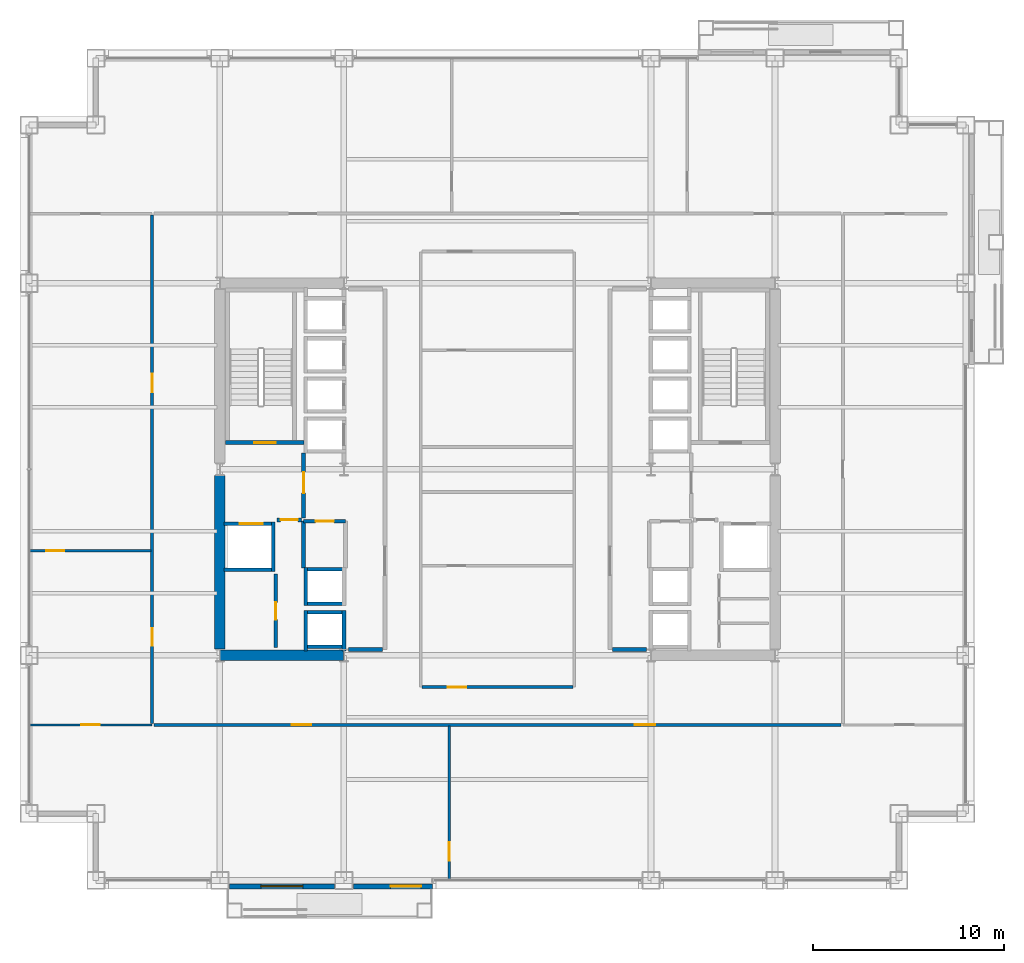
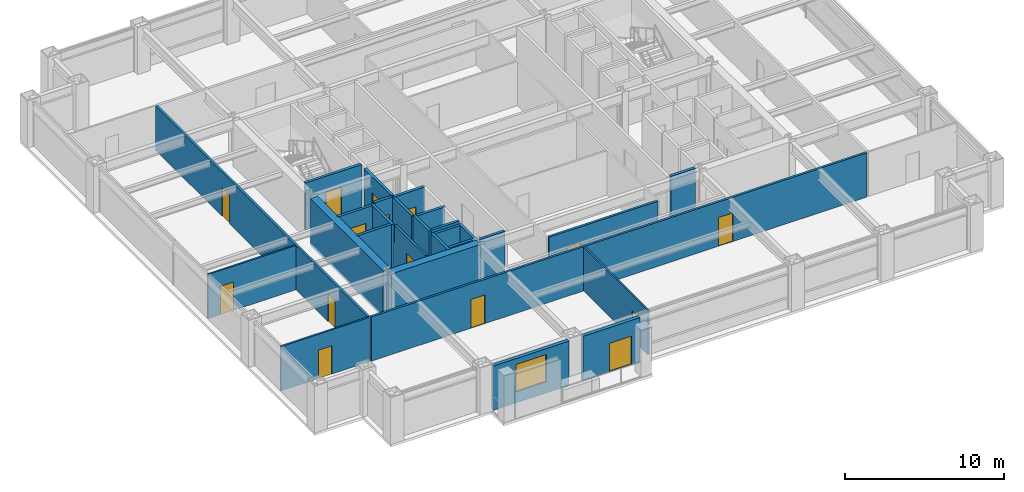
# One storey, part 25 of 31: 28 walls, 15 doors, 1 window, 16 openings.
"""IFC4 building model written with IfcOpenShell, lengths in metres."""

from ifc_helpers import new_model, si_unit, direction, frame, frame_2d, origin, place, context, subcontext, project, spatial, rectangle, extrude, material, layer, layer_set, type_object, element, fill, save


model = new_model("IFC4")

# Units and contexts
model_context = context("Model", 3, precision=1e-05, world=origin(), true_north=direction((0.0, 1.0)))
body_context = subcontext(model_context, "Body", "Model", "MODEL_VIEW")
ifc_project = project(units=[si_unit("LENGTHUNIT", "METRE"), si_unit("AREAUNIT", "SQUARE_METRE"), si_unit("VOLUMEUNIT", "CUBIC_METRE"), si_unit("PLANEANGLEUNIT", "RADIAN"), si_unit("MASSUNIT", "GRAM", prefix="KILO")], contexts=[model_context])

# Site, building, storey
site_placement = place(None, origin())
site = spatial("IfcSite", under=ifc_project, at=site_placement, CompositionType="ELEMENT")
building_placement = place(site_placement, origin())
building = spatial("IfcBuilding", under=site, at=building_placement, Name="Brelmoor Portico Tower", CompositionType="ELEMENT")
storey_placement = place(building_placement, frame((0.0, 0.0, 38.39990234375)))
storey = spatial("IfcBuildingStorey", under=building, at=storey_placement, Name="L09", CompositionType="ELEMENT", Elevation=38.39990234375)

# Walls
ifc_material_1 = material(Name="Concrete C60", Category="concrete")
ifc_layer_1 = layer(ifc_material_1, 0.550048828125)
ifc_layer_set_1 = layer_set([ifc_layer_1], Name="Concrete C60")
wall_type_1 = type_object("IfcWallType", Name="WL-CORE-550", PredefinedType="SHEAR", material=ifc_layer_set_1)
wall_1_placement = place(storey_placement, frame((-14.530029296875, -9.75, -0.199951171875), z_axis=(0.0, 0.0, 1.0), x_axis=(1.0, 0.0, 0.0)))
element("IfcWall", 1, at=wall_1_placement, inside=storey, type_object=wall_type_1, Name="L09 WC South Shear Wall", PredefinedType="SHEAR", context=body_context, shape_type="SweptSolid", body=[
    extrude(rectangle(XDim=6.4599609375, YDim=0.550048828125, at=frame_2d((3.22998046875, 0.0))), origin(), (0.0, 0.0, 1.0), 3.60009765625),
])
wall_2_placement = place(storey_placement, frame((-14.550048828125, -9.425048828125, -0.199951171875), z_axis=(0.0, 0.0, 1.0), x_axis=(0.0, 1.0, 0.0)))
element("IfcWall", 2, at=wall_2_placement, inside=storey, type_object=wall_type_1, Name="L09 WC Outer South Shear Wall", PredefinedType="SHEAR", context=body_context, shape_type="SweptSolid", body=[
    extrude(rectangle(XDim=9.10009765625, YDim=0.550048828125, at=frame_2d((4.550048828125, 0.0))), origin(), (0.0, 0.0, 1.0), 3.60009765625),
])

# Wall, opening, window
ifc_material_2 = material(Name="Precast Concrete C40 Insulated Facade Wall", Category="concrete")
ifc_layer_2 = layer(ifc_material_2, 0.25)
ifc_layer_set_2 = layer_set([ifc_layer_2], Name="Precast Concrete C40 Insulated Facade Wall")
wall_type_2 = type_object("IfcWallType", Name="WL-EXT-250", PredefinedType="STANDARD", material=ifc_layer_set_2)
wall_3_placement = place(storey_placement, frame((-14.054931640625, -21.860107421875, 0.0), z_axis=(0.0, 0.0, 1.0), x_axis=(1.0, 0.0, 0.0)))
wall_3 = element("IfcWall", 3, at=wall_3_placement, inside=storey, type_object=wall_type_2, Name="L09 Loggia Threshold Wall S-1", PredefinedType="STANDARD", context=body_context, shape_type="SweptSolid", body=[
    extrude(rectangle(XDim=5.510009765625, YDim=0.25, at=frame_2d((2.7548828125, 0.0))), origin(), (0.0, 0.0, 1.0), 3.400146484375),
])
opening_1_placement = place(wall_3_placement, frame((1.655029296875, 0.0, 0.85009765625)))
opening_1 = element("IfcOpeningElement", 4, at=opening_1_placement, cuts=wall_3, Name="Opening W-03B", PredefinedType="OPENING", context=body_context, shape_type="SweptSolid", body=[
    extrude(rectangle(XDim=2.199951171875, YDim=2.10009765625, at=frame_2d((1.10009765625, 1.050048828125))), frame((0.0, 0.135009765625, 0.0), z_axis=(0.0, -1.0, 0.0), x_axis=(1.0, 0.0, 0.0)), (0.0, 0.0, 1.0), 0.27001953125),
])
ifc_material_3 = material(Name="Thermally Broken Aluminium Low-E Window", Category="aluminium")
window_type = type_object("IfcWindowType", Name="WN-LOGGIA-2200x2100", PartitioningType="SINGLE_PANEL", PredefinedType="WINDOW", material=ifc_material_3)
window_placement = place(opening_1_placement, origin())
window = element("IfcWindow", 5, at=window_placement, inside=storey, type_object=window_type, Name="L09 Loggia Window S", OverallHeight=2.10009765625, OverallWidth=2.199951171875, PartitioningType="SINGLE_PANEL", PredefinedType="WINDOW", context=body_context, shape_type="SweptSolid", body=[
    extrude(rectangle(XDim=2.199951171875, YDim=2.10009765625, at=frame_2d((1.10009765625, 1.050048828125))), frame((0.0, 0.030029296875, 0.0), z_axis=(0.0, -1.0, 0.0), x_axis=(1.0, 0.0, 0.0)), (0.0, 0.0, 1.0), 0.06005859375),
])
fill(opening_1, window)

# Wall, opening, door
wall_4_placement = place(storey_placement, frame((-7.554931640625, -21.860107421875, 0.0), z_axis=(0.0, 0.0, 1.0), x_axis=(1.0, 0.0, 0.0)))
wall_4 = element("IfcWall", 6, at=wall_4_placement, inside=storey, type_object=wall_type_2, Name="L09 Loggia Threshold Wall S-2", PredefinedType="STANDARD", context=body_context, shape_type="SweptSolid", body=[
    extrude(rectangle(XDim=4.155029296875, YDim=0.25, at=frame_2d((2.07763671875, 0.0))), origin(), (0.0, 0.0, 1.0), 3.400146484375),
])
opening_2_placement = place(wall_4_placement, frame((1.955078125, 0.0, 0.0)))
opening_2 = element("IfcOpeningElement", 7, at=opening_2_placement, cuts=wall_4, Name="Opening D-TB1", PredefinedType="OPENING", context=body_context, shape_type="SweptSolid", body=[
    extrude(rectangle(XDim=1.60009765625, YDim=2.199951171875, at=frame_2d((0.800048828125, 1.10009765625))), frame((0.0, 0.135009765625, 0.0), z_axis=(0.0, -1.0, 0.0), x_axis=(1.0, 0.0, 0.0)), (0.0, 0.0, 1.0), 0.27001953125),
])
ifc_material_4 = material(Name="Double-Leaf Thermally Broken Terrace Door", Category="aluminium")
door_type_1 = type_object("IfcDoorType", Name="DR-BALCONY-1600", OperationType="NOTDEFINED", PredefinedType="DOOR", material=ifc_material_4)
door_1_placement = place(opening_2_placement, origin())
door_1 = element("IfcDoor", 8, at=door_1_placement, inside=storey, type_object=door_type_1, Name="D-0423 L09 Tree Balcony Double Door S", OperationType="DOUBLE_DOOR_SINGLE_SWING", OverallHeight=2.199951171875, OverallWidth=1.60009765625, PredefinedType="DOOR", context=body_context, shape_type="SweptSolid", body=[
    extrude(rectangle(XDim=1.60009765625, YDim=2.199951171875, at=frame_2d((0.800048828125, 1.10009765625))), frame((0.0, 0.02490234375, 0.0), z_axis=(0.0, -1.0, 0.0), x_axis=(1.0, 0.0, 0.0)), (0.0, 0.0, 1.0), 0.050048828125),
])
fill(opening_2, door_1)

ifc_material_5 = material(Name="Lightweight Gypsum Office Partition", Category="gypsum")
ifc_layer_3 = layer(ifc_material_5, 0.1201171875)
ifc_layer_set_3 = layer_set([ifc_layer_3], Name="Lightweight Gypsum Office Partition")
wall_type_3 = type_object("IfcWallType", Name="WL-PART-120", PredefinedType="PARTITIONING", material=ifc_layer_set_3)
wall_5_placement = place(storey_placement, frame((-2.530029296875, -21.56005859375, 0.0), z_axis=(0.0, 0.0, 1.0), x_axis=(0.0, 1.0, 0.0)))
wall_5 = element("IfcWall", 9, at=wall_5_placement, inside=storey, type_object=wall_type_3, Name="L09 South Suite Partition 1", PredefinedType="PARTITIONING", context=body_context, shape_type="SweptSolid", body=[
    extrude(rectangle(XDim=8.10009765625, YDim=0.1201171875, at=frame_2d((4.050048828125, 0.0))), origin(), (0.0, 0.0, 1.0), 3.400146484375),
])
opening_3_placement = place(wall_5_placement, frame((1.050048828125, 0.0, 0.0)))
opening_3 = element("IfcOpeningElement", 10, at=opening_3_placement, cuts=wall_5, Name="Opening D-IN2", PredefinedType="OPENING", context=body_context, shape_type="SweptSolid", body=[
    extrude(rectangle(XDim=0.9599609375, YDim=2.179931640625, at=frame_2d((0.47998046875, 1.08984375))), frame((0.0, 0.070068359375, 0.0), z_axis=(0.0, -1.0, 0.0), x_axis=(1.0, 0.0, 0.0)), (0.0, 0.0, 1.0), 0.14013671875),
])
ifc_material_6 = material(Name="Lacquered Timber Suite Door", Category="wood")
door_type_2 = type_object("IfcDoorType", Name="DR-INT-950", OperationType="NOTDEFINED", PredefinedType="DOOR", material=ifc_material_6)
door_2_placement = place(opening_3_placement, origin())
door_2 = element("IfcDoor", 11, at=door_2_placement, inside=storey, type_object=door_type_2, Name="D-0416 L09 South Suite Connecting Door 1", OperationType="SINGLE_SWING_RIGHT", OverallHeight=2.179931640625, OverallWidth=0.9599609375, PredefinedType="DOOR", context=body_context, shape_type="SweptSolid", body=[
    extrude(rectangle(XDim=0.9599609375, YDim=2.179931640625, at=frame_2d((0.47998046875, 1.08984375))), frame((0.0, 0.02490234375, 0.0), z_axis=(0.0, -1.0, 0.0), x_axis=(1.0, 0.0, 0.0)), (0.0, 0.0, 1.0), 0.050048828125),
])
fill(opening_3, door_2)

wall_6_placement = place(storey_placement, frame((-24.56005859375, -13.39990234375, 0.0), z_axis=(0.0, 0.0, 1.0), x_axis=(1.0, 0.0, 0.0)))
wall_6 = element("IfcWall", 12, at=wall_6_placement, inside=storey, type_object=wall_type_3, Name="L09 South Outer Closure WL", PredefinedType="PARTITIONING", context=body_context, shape_type="SweptSolid", body=[
    extrude(rectangle(XDim=6.4599609375, YDim=0.1201171875, at=frame_2d((3.22998046875, 0.0))), origin(), (0.0, 0.0, 1.0), 3.400146484375),
])
opening_4_placement = place(wall_6_placement, frame((2.75, 0.0, 0.0)))
opening_4 = element("IfcOpeningElement", 13, at=opening_4_placement, cuts=wall_6, Name="Opening D-IN2", PredefinedType="OPENING", context=body_context, shape_type="SweptSolid", body=[
    extrude(rectangle(XDim=0.9599609375, YDim=2.179931640625, at=frame_2d((0.47998046875, 1.08984375))), frame((0.0, 0.070068359375, 0.0), z_axis=(0.0, -1.0, 0.0), x_axis=(1.0, 0.0, 0.0)), (0.0, 0.0, 1.0), 0.14013671875),
])
door_3_placement = place(opening_4_placement, origin())
door_3 = element("IfcDoor", 14, at=door_3_placement, inside=storey, type_object=door_type_2, Name="D-0420 L09 WL South Corner Suite Door", OperationType="SINGLE_SWING_LEFT", OverallHeight=2.179931640625, OverallWidth=0.9599609375, PredefinedType="DOOR", context=body_context, shape_type="SweptSolid", body=[
    extrude(rectangle(XDim=0.9599609375, YDim=2.179931640625, at=frame_2d((0.47998046875, 1.08984375))), frame((0.0, 0.02490234375, 0.0), z_axis=(0.0, -1.0, 0.0), x_axis=(1.0, 0.0, 0.0)), (0.0, 0.0, 1.0), 0.050048828125),
])
fill(opening_4, door_3)

wall_7_placement = place(storey_placement, frame((-24.56005859375, -4.262451171875, 0.0), z_axis=(0.0, 0.0, 1.0), x_axis=(1.0, 0.0, 0.0)))
wall_7 = element("IfcWall", 15, at=wall_7_placement, inside=storey, type_object=wall_type_3, Name="L09 W Wing Partition 1", PredefinedType="PARTITIONING", context=body_context, shape_type="SweptSolid", body=[
    extrude(rectangle(XDim=6.400146484375, YDim=0.1201171875, at=frame_2d((3.2001953125, 0.0))), origin(), (0.0, 0.0, 1.0), 3.400146484375),
])
opening_5_placement = place(wall_7_placement, frame((0.89990234375, 0.0, 0.0)))
opening_5 = element("IfcOpeningElement", 16, at=opening_5_placement, cuts=wall_7, Name="Opening D-IN2", PredefinedType="OPENING", context=body_context, shape_type="SweptSolid", body=[
    extrude(rectangle(XDim=0.9599609375, YDim=2.179931640625, at=frame_2d((0.47998046875, 1.08984375))), frame((0.0, 0.070068359375, 0.0), z_axis=(0.0, -1.0, 0.0), x_axis=(1.0, 0.0, 0.0)), (0.0, 0.0, 1.0), 0.14013671875),
])
door_4_placement = place(opening_5_placement, origin())
door_4 = element("IfcDoor", 17, at=door_4_placement, inside=storey, type_object=door_type_2, Name="D-0427 L09 W Wing Suite Connecting Door 1", OperationType="SINGLE_SWING_LEFT", OverallHeight=2.179931640625, OverallWidth=0.9599609375, PredefinedType="DOOR", context=body_context, shape_type="SweptSolid", body=[
    extrude(rectangle(XDim=0.9599609375, YDim=2.179931640625, at=frame_2d((0.47998046875, 1.08984375))), frame((0.0, 0.02490234375, 0.0), z_axis=(0.0, -1.0, 0.0), x_axis=(1.0, 0.0, 0.0)), (0.0, 0.0, 1.0), 0.050048828125),
])
fill(opening_5, door_4)

ifc_material_7 = material(Name="Twin-Frame Acoustic Partition", Category="gypsum")
ifc_layer_4 = layer(ifc_material_7, 0.159912109375)
ifc_layer_set_4 = layer_set([ifc_layer_4], Name="Twin-Frame Acoustic Partition")
wall_type_4 = type_object("IfcWallType", Name="WL-PART-160", PredefinedType="PARTITIONING", material=ifc_layer_set_4)
wall_8_placement = place(storey_placement, frame((-11.6201171875, -9.35009765625, 0.0), z_axis=(0.0, 0.0, 1.0), x_axis=(0.0, 1.0, 0.0)))
wall_8 = element("IfcWall", 18, at=wall_8_placement, inside=storey, type_object=wall_type_4, Name="L09 W Core Service Front Wall", PredefinedType="PARTITIONING", context=body_context, shape_type="SweptSolid", body=[
    extrude(rectangle(XDim=3.85009765625, YDim=0.159912109375, at=frame_2d((1.925048828125, 0.0))), origin(), (0.0, 0.0, 1.0), 3.400146484375),
])
opening_6_placement = place(wall_8_placement, frame((1.47509765625, 0.0, 0.0)))
opening_6 = element("IfcOpeningElement", 19, at=opening_6_placement, cuts=wall_8, Name="Opening D-IN1", PredefinedType="OPENING", context=body_context, shape_type="SweptSolid", body=[
    extrude(rectangle(XDim=0.89990234375, YDim=2.14990234375, at=frame_2d((0.449951171875, 1.074951171875))), frame((0.0, 0.08984375, 0.0), z_axis=(0.0, -1.0, 0.0), x_axis=(1.0, 0.0, 0.0)), (0.0, 0.0, 1.0), 0.179931640625),
])
door_type_3 = type_object("IfcDoorType", Name="DR-INT-900", OperationType="NOTDEFINED", PredefinedType="DOOR", material=ifc_material_6)
door_5_placement = place(opening_6_placement, origin())
door_5 = element("IfcDoor", 20, at=door_5_placement, inside=storey, type_object=door_type_3, Name="D-0400 L09 W Accessible WC Door", OperationType="SINGLE_SWING_LEFT", OverallHeight=2.14990234375, OverallWidth=0.89990234375, PredefinedType="DOOR", context=body_context, shape_type="SweptSolid", body=[
    extrude(rectangle(XDim=0.89990234375, YDim=2.14990234375, at=frame_2d((0.449951171875, 1.074951171875))), frame((0.0, 0.02490234375, 0.0), z_axis=(0.0, -1.0, 0.0), x_axis=(1.0, 0.0, 0.0)), (0.0, 0.0, 1.0), 0.050048828125),
])
fill(opening_6, door_5)

wall_9_placement = place(storey_placement, frame((-3.949951171875, -11.419921875, 0.0), z_axis=(0.0, 0.0, 1.0), x_axis=(1.0, 0.0, 0.0)))
wall_9 = element("IfcWall", 21, at=wall_9_placement, inside=storey, type_object=wall_type_4, Name="L09 Central Pantry Corridor Wall", PredefinedType="PARTITIONING", context=body_context, shape_type="SweptSolid", body=[
    extrude(rectangle(XDim=7.89990234375, YDim=0.159912109375, at=frame_2d((3.949951171875, 0.0))), origin(), (0.0, 0.0, 1.0), 3.400146484375),
])
opening_7_placement = place(wall_9_placement, frame((1.35009765625, 0.0, 0.0)))
opening_7 = element("IfcOpeningElement", 22, at=opening_7_placement, cuts=wall_9, Name="Opening D-IN2", PredefinedType="OPENING", context=body_context, shape_type="SweptSolid", body=[
    extrude(rectangle(XDim=0.9599609375, YDim=2.179931640625, at=frame_2d((0.47998046875, 1.08984375))), frame((0.0, 0.08984375, 0.0), z_axis=(0.0, -1.0, 0.0), x_axis=(1.0, 0.0, 0.0)), (0.0, 0.0, 1.0), 0.179931640625),
])
door_6_placement = place(opening_7_placement, origin())
door_6 = element("IfcDoor", 23, at=door_6_placement, inside=storey, type_object=door_type_2, Name="D-0393 L09 Staff Pantry Door", OperationType="SINGLE_SWING_LEFT", OverallHeight=2.179931640625, OverallWidth=0.9599609375, PredefinedType="DOOR", context=body_context, shape_type="SweptSolid", body=[
    extrude(rectangle(XDim=0.9599609375, YDim=2.179931640625, at=frame_2d((0.47998046875, 1.08984375))), frame((0.0, 0.02490234375, 0.0), z_axis=(0.0, -1.0, 0.0), x_axis=(1.0, 0.0, 0.0)), (0.0, 0.0, 1.0), 0.050048828125),
])
fill(opening_7, door_6)

# Wall, openings, doors
wall_10_placement = place(storey_placement, frame((-18.0, -13.39990234375, 0.0), z_axis=(0.0, 0.0, 1.0), x_axis=(1.0, 0.0, 0.0)))
wall_10 = element("IfcWall", 24, at=wall_10_placement, inside=storey, type_object=wall_type_4, Name="L09 South Corridor Partition", PredefinedType="PARTITIONING", context=body_context, shape_type="SweptSolid", body=[
    extrude(rectangle(XDim=36.0, YDim=0.159912109375, at=frame_2d((18.0, 0.0))), origin(), (0.0, 0.0, 1.0), 3.400146484375),
])
opening_8_placement = place(wall_10_placement, frame((7.22509765625, 0.0, 0.0)))
opening_8 = element("IfcOpeningElement", 25, at=opening_8_placement, cuts=wall_10, Name="Opening D-OF1", PredefinedType="OPENING", context=body_context, shape_type="SweptSolid", body=[
    extrude(rectangle(XDim=1.02001953125, YDim=2.199951171875, at=frame_2d((0.510009765625, 1.10009765625))), frame((0.0, 0.08984375, 0.0), z_axis=(0.0, -1.0, 0.0), x_axis=(1.0, 0.0, 0.0)), (0.0, 0.0, 1.0), 0.179931640625),
])
opening_9_placement = place(wall_10_placement, frame((25.205078125, 0.0, 0.0)))
opening_9 = element("IfcOpeningElement", 26, at=opening_9_placement, cuts=wall_10, Name="Opening D-OF2", PredefinedType="OPENING", context=body_context, shape_type="SweptSolid", body=[
    extrude(rectangle(XDim=1.06005859375, YDim=2.199951171875, at=frame_2d((0.530029296875, 1.10009765625))), frame((0.0, 0.08984375, 0.0), z_axis=(0.0, -1.0, 0.0), x_axis=(1.0, 0.0, 0.0)), (0.0, 0.0, 1.0), 0.179931640625),
])
ifc_material_8 = material(Name="Hardwood Acoustic Veneer Door", Category="wood")
door_type_4 = type_object("IfcDoorType", Name="DR-OFFICE-1000", OperationType="NOTDEFINED", PredefinedType="DOOR", material=ifc_material_8)
door_7_placement = place(opening_8_placement, origin())
door_7 = element("IfcDoor", 27, at=door_7_placement, inside=storey, type_object=door_type_4, Name="D-0414 L09 South Project Mail Room 1 Door", OperationType="SINGLE_SWING_LEFT", OverallHeight=2.199951171875, OverallWidth=1.02001953125, PredefinedType="DOOR", context=body_context, shape_type="SweptSolid", body=[
    extrude(rectangle(XDim=1.02001953125, YDim=2.199951171875, at=frame_2d((0.510009765625, 1.10009765625))), frame((0.0, 0.02490234375, 0.0), z_axis=(0.0, -1.0, 0.0), x_axis=(1.0, 0.0, 0.0)), (0.0, 0.0, 1.0), 0.050048828125),
])
fill(opening_8, door_7)
door_type_5 = type_object("IfcDoorType", Name="DR-OFFICE-1050", OperationType="NOTDEFINED", PredefinedType="DOOR", material=ifc_material_8)
door_8_placement = place(opening_9_placement, origin())
door_8 = element("IfcDoor", 28, at=door_8_placement, inside=storey, type_object=door_type_5, Name="D-0415 L09 South Design Research Library 2 Door", OperationType="SINGLE_SWING_RIGHT", OverallHeight=2.199951171875, OverallWidth=1.06005859375, PredefinedType="DOOR", context=body_context, shape_type="SweptSolid", body=[
    extrude(rectangle(XDim=1.06005859375, YDim=2.199951171875, at=frame_2d((0.530029296875, 1.10009765625))), frame((0.0, 0.02490234375, 0.0), z_axis=(0.0, -1.0, 0.0), x_axis=(1.0, 0.0, 0.0)), (0.0, 0.0, 1.0), 0.050048828125),
])
fill(opening_9, door_8)

wall_11_placement = place(storey_placement, frame((-18.10009765625, -13.320068359375, 0.0), z_axis=(0.0, 0.0, 1.0), x_axis=(0.0, 1.0, 0.0)))
wall_11 = element("IfcWall", 29, at=wall_11_placement, inside=storey, type_object=wall_type_4, Name="L09 W Wing Corridor Wall", PredefinedType="PARTITIONING", context=body_context, shape_type="SweptSolid", body=[
    extrude(rectangle(XDim=26.64013671875, YDim=0.159912109375, at=frame_2d((13.320068359375, 0.0))), origin(), (0.0, 0.0, 1.0), 3.400146484375),
])
opening_10_placement = place(wall_11_placement, frame((4.078857421875, 0.0, 0.0)))
opening_10 = element("IfcOpeningElement", 30, at=opening_10_placement, cuts=wall_11, Name="Opening D-IN1", PredefinedType="OPENING", context=body_context, shape_type="SweptSolid", body=[
    extrude(rectangle(XDim=0.89990234375, YDim=2.14990234375, at=frame_2d((0.449951171875, 1.074951171875))), frame((0.0, 0.08984375, 0.0), z_axis=(0.0, -1.0, 0.0), x_axis=(1.0, 0.0, 0.0)), (0.0, 0.0, 1.0), 0.179931640625),
])
opening_11_placement = place(wall_11_placement, frame((17.368896484375, 0.0, 0.0)))
opening_11 = element("IfcOpeningElement", 31, at=opening_11_placement, cuts=wall_11, Name="Opening D-IN2", PredefinedType="OPENING", context=body_context, shape_type="SweptSolid", body=[
    extrude(rectangle(XDim=0.9599609375, YDim=2.179931640625, at=frame_2d((0.47998046875, 1.08984375))), frame((0.0, 0.08984375, 0.0), z_axis=(0.0, -1.0, 0.0), x_axis=(1.0, 0.0, 0.0)), (0.0, 0.0, 1.0), 0.179931640625),
])
door_9_placement = place(opening_10_placement, origin())
door_9 = element("IfcDoor", 32, at=door_9_placement, inside=storey, type_object=door_type_3, Name="D-0425 L09 W Quiet Reading Study 1 Door", OperationType="SINGLE_SWING_RIGHT", OverallHeight=2.14990234375, OverallWidth=0.89990234375, PredefinedType="DOOR", context=body_context, shape_type="SweptSolid", body=[
    extrude(rectangle(XDim=0.89990234375, YDim=2.14990234375, at=frame_2d((0.449951171875, 1.074951171875))), frame((0.0, 0.02490234375, 0.0), z_axis=(0.0, -1.0, 0.0), x_axis=(1.0, 0.0, 0.0)), (0.0, 0.0, 1.0), 0.050048828125),
])
fill(opening_10, door_9)
door_10_placement = place(opening_11_placement, origin())
door_10 = element("IfcDoor", 33, at=door_10_placement, inside=storey, type_object=door_type_2, Name="D-0426 L09 W Open-Plan Office 2 Door", OperationType="SINGLE_SWING_LEFT", OverallHeight=2.179931640625, OverallWidth=0.9599609375, PredefinedType="DOOR", context=body_context, shape_type="SweptSolid", body=[
    extrude(rectangle(XDim=0.9599609375, YDim=2.179931640625, at=frame_2d((0.47998046875, 1.08984375))), frame((0.0, 0.02490234375, 0.0), z_axis=(0.0, -1.0, 0.0), x_axis=(1.0, 0.0, 0.0)), (0.0, 0.0, 1.0), 0.050048828125),
])
fill(opening_11, door_10)

# Wall
ifc_material_9 = material(Name="Double-Stud Gypsum Fire Partition", Category="gypsum")
ifc_layer_5 = layer(ifc_material_9, 0.199951171875)
ifc_layer_set_5 = layer_set([ifc_layer_5], Name="Double-Stud Gypsum Fire Partition")
wall_type_5 = type_object("IfcWallType", Name="WL-PART-200", PredefinedType="PARTITIONING", material=ifc_layer_set_5)
wall_12_placement = place(storey_placement, frame((-6.02001953125, -9.449951171875, 0.0), z_axis=(0.0, 0.0, 1.0), x_axis=(-1.0, 0.0, 0.0)))
element("IfcWall", 34, at=wall_12_placement, inside=storey, type_object=wall_type_5, Name="L09 W Lift Lobby South End Wall", PredefinedType="PARTITIONING", context=body_context, shape_type="SweptSolid", body=[
    extrude(rectangle(XDim=1.800048828125, YDim=0.199951171875, at=frame_2d((0.89990234375, 0.0))), origin(), (0.0, 0.0, 1.0), 3.400146484375),
])

# Wall, opening, door
wall_13_placement = place(storey_placement, frame((-10.159912109375, -2.550048828125, 0.0), z_axis=(0.0, 0.0, 1.0), x_axis=(0.0, 1.0, 0.0)))
wall_13 = element("IfcWall", 35, at=wall_13_placement, inside=storey, type_object=wall_type_5, Name="L09 W Firefighting Lobby Wall", PredefinedType="PARTITIONING", context=body_context, shape_type="SweptSolid", body=[
    extrude(rectangle(XDim=3.400146484375, YDim=0.199951171875, at=frame_2d((1.7001953125, 0.0))), origin(), (0.0, 0.0, 1.0), 3.400146484375),
])
opening_12_placement = place(wall_13_placement, frame((1.300048828125, 0.0, 0.0)))
opening_12 = element("IfcOpeningElement", 36, at=opening_12_placement, cuts=wall_13, Name="Opening D-FR1", PredefinedType="OPENING", context=body_context, shape_type="SweptSolid", body=[
    extrude(rectangle(XDim=1.10009765625, YDim=2.14990234375, at=frame_2d((0.550048828125, 1.074951171875))), frame((0.0, 0.10986328125, 0.0), z_axis=(0.0, -1.0, 0.0), x_axis=(1.0, 0.0, 0.0)), (0.0, 0.0, 1.0), 0.219970703125),
])
ifc_material_10 = material(Name="Painted Galvanised Steel Fire Door", Category="steel")
door_type_6 = type_object("IfcDoorType", Name="DR-FIRE-1100", OperationType="NOTDEFINED", PredefinedType="DOOR", material=ifc_material_10)
door_11_placement = place(opening_12_placement, origin())
door_11 = element("IfcDoor", 37, at=door_11_placement, inside=storey, type_object=door_type_6, Name="D-0404 L09 W Firefighting Lobby Door", OperationType="SINGLE_SWING_RIGHT", OverallHeight=2.14990234375, OverallWidth=1.10009765625, PredefinedType="DOOR", context=body_context, shape_type="SweptSolid", body=[
    extrude(rectangle(XDim=1.10009765625, YDim=2.14990234375, at=frame_2d((0.550048828125, 1.074951171875))), frame((0.0, 0.02490234375, 0.0), z_axis=(0.0, -1.0, 0.0), x_axis=(1.0, 0.0, 0.0)), (0.0, 0.0, 1.0), 0.050048828125),
])
fill(opening_12, door_11)

wall_14_placement = place(storey_placement, frame((-10.280029296875, -2.64990234375, 0.0), z_axis=(0.0, 0.0, 1.0), x_axis=(-1.0, 0.0, 0.0)))
wall_14 = element("IfcWall", 38, at=wall_14_placement, inside=storey, type_object=wall_type_5, Name="L09 W Firefighting Lobby South Wall", PredefinedType="PARTITIONING", context=body_context, shape_type="SweptSolid", body=[
    extrude(rectangle(XDim=1.27001953125, YDim=0.199951171875, at=frame_2d((0.635009765625, 0.0))), origin(), (0.0, 0.0, 1.0), 3.400146484375),
])
opening_13_placement = place(wall_14_placement, frame((0.18505859375, 0.0, 0.0)))
opening_13 = element("IfcOpeningElement", 39, at=opening_13_placement, cuts=wall_14, Name="Opening D-IN1", PredefinedType="OPENING", context=body_context, shape_type="SweptSolid", body=[
    extrude(rectangle(XDim=0.89990234375, YDim=2.14990234375, at=frame_2d((0.449951171875, 1.074951171875))), frame((0.0, 0.10986328125, 0.0), z_axis=(0.0, -1.0, 0.0), x_axis=(1.0, 0.0, 0.0)), (0.0, 0.0, 1.0), 0.219970703125),
])
door_12_placement = place(opening_13_placement, origin())
door_12 = element("IfcDoor", 40, at=door_12_placement, inside=storey, type_object=door_type_3, Name="D-0399 L09 W Core Service Vestibule Door", OperationType="SINGLE_SWING_LEFT", OverallHeight=2.14990234375, OverallWidth=0.89990234375, PredefinedType="DOOR", context=body_context, shape_type="SweptSolid", body=[
    extrude(rectangle(XDim=0.89990234375, YDim=2.14990234375, at=frame_2d((0.449951171875, 1.074951171875))), frame((0.0, 0.02490234375, 0.0), z_axis=(0.0, -1.0, 0.0), x_axis=(1.0, 0.0, 0.0)), (0.0, 0.0, 1.0), 0.050048828125),
])
fill(opening_13, door_12)

wall_15_placement = place(storey_placement, frame((-7.9599609375, -2.719970703125, 0.0), z_axis=(0.0, 0.0, 1.0), x_axis=(-1.0, 0.0, 0.0)))
wall_15 = element("IfcWall", 41, at=wall_15_placement, inside=storey, type_object=wall_type_5, Name="L09 W Electrical Switchgear Closet Wall", PredefinedType="PARTITIONING", context=body_context, shape_type="SweptSolid", body=[
    extrude(rectangle(XDim=2.199951171875, YDim=0.199951171875, at=frame_2d((1.10009765625, 0.0))), origin(), (0.0, 0.0, 1.0), 3.400146484375),
])
opening_14_placement = place(wall_15_placement, frame((0.6201171875, 0.0, 0.0)))
opening_14 = element("IfcOpeningElement", 42, at=opening_14_placement, cuts=wall_15, Name="Opening D-FR4", PredefinedType="OPENING", context=body_context, shape_type="SweptSolid", body=[
    extrude(rectangle(XDim=0.949951171875, YDim=2.10009765625, at=frame_2d((0.47509765625, 1.050048828125))), frame((0.0, 0.10986328125, 0.0), z_axis=(0.0, -1.0, 0.0), x_axis=(1.0, 0.0, 0.0)), (0.0, 0.0, 1.0), 0.219970703125),
])
ifc_material_11 = material(Name="Painted Galvanised Steel Riser Door", Category="steel")
door_type_7 = type_object("IfcDoorType", Name="DR-FIRE-950", OperationType="NOTDEFINED", PredefinedType="DOOR", material=ifc_material_11)
door_13_placement = place(opening_14_placement, origin())
door_13 = element("IfcDoor", 43, at=door_13_placement, inside=storey, type_object=door_type_7, Name="D-0402 L09 W Electrical Switchgear Closet Door", OperationType="SINGLE_SWING_RIGHT", OverallHeight=2.10009765625, OverallWidth=0.949951171875, PredefinedType="DOOR", context=body_context, shape_type="SweptSolid", body=[
    extrude(rectangle(XDim=0.949951171875, YDim=2.10009765625, at=frame_2d((0.47509765625, 1.050048828125))), frame((0.0, 0.02490234375, 0.0), z_axis=(0.0, -1.0, 0.0), x_axis=(1.0, 0.0, 0.0)), (0.0, 0.0, 1.0), 0.050048828125),
])
fill(opening_14, door_13)

# Walls
wall_16_placement = place(storey_placement, frame((-10.159912109375, -5.159912109375, 0.0), z_axis=(0.0, 0.0, 1.0), x_axis=(0.0, 1.0, 0.0)))
element("IfcWall", 44, at=wall_16_placement, inside=storey, type_object=wall_type_5, Name="L09 W Electrical Switchgear Closet Outer Wall", PredefinedType="PARTITIONING", context=body_context, shape_type="SweptSolid", body=[
    extrude(rectangle(XDim=2.43994140625, YDim=0.199951171875, at=frame_2d((1.219970703125, 0.0))), origin(), (0.0, 0.0, 1.0), 3.400146484375),
])
wall_17_placement = place(storey_placement, frame((6.02001953125, -9.449951171875, 0.0), z_axis=(0.0, 0.0, 1.0), x_axis=(1.0, 0.0, 0.0)))
element("IfcWall", 45, at=wall_17_placement, inside=storey, type_object=wall_type_5, Name="L09 E Lift Lobby South End Wall", PredefinedType="PARTITIONING", context=body_context, shape_type="SweptSolid", body=[
    extrude(rectangle(XDim=1.800048828125, YDim=0.199951171875, at=frame_2d((0.89990234375, 0.0))), origin(), (0.0, 0.0, 1.0), 3.400146484375),
])
ifc_material_12 = material(Name="Precast Concrete C40", Category="concrete")
ifc_layer_6 = layer(ifc_material_12, 0.18994140625)
ifc_layer_set_6 = layer_set([ifc_layer_6], Name="Precast Concrete C40")
wall_type_6 = type_object("IfcWallType", Name="WL-SHAFT-180", PredefinedType="SOLIDWALL", material=ifc_layer_set_6)
for number, where, z_axis, x_axis, name in (
    (46, (-8.044921875, -9.52001953125, -0.199951171875), (0.0, 0.0, 1.0), (0.0, 1.0, 0.0), "L09 Lift PH1 Hoistway Front Wall"),
    (47, (-10.054931640625, -9.52001953125, -0.199951171875), (0.0, 0.0, 1.0), (0.0, 1.0, 0.0), "L09 Lift PH1 Hoistway Back Wall"),
):
    element("IfcWall", number, at=place(storey_placement, frame(where, z_axis=z_axis, x_axis=x_axis)), inside=storey, type_object=wall_type_6, Name=name, PredefinedType="SOLIDWALL", context=body_context, shape_type="SweptSolid", body=[
        extrude(rectangle(XDim=2.1201171875, YDim=0.18994140625, at=frame_2d((1.06005859375, 0.0))), origin(), (0.0, 0.0, 1.0), 3.60009765625),
    ])
for number, where, z_axis, x_axis, name in (
    (48, (-10.14990234375, -7.4951171875, -0.199951171875), (0.0, 0.0, 1.0), (1.0, 0.0, 0.0), "L09 Lift PH1 Hoistway North Wall"),
    (49, (-10.14990234375, -9.304931640625, -0.199951171875), (0.0, 0.0, 1.0), (1.0, 0.0, 0.0), "L09 Lift PH1 Hoistway South Wall"),
):
    element("IfcWall", number, at=place(storey_placement, frame(where, z_axis=z_axis, x_axis=x_axis)), inside=storey, type_object=wall_type_6, Name=name, PredefinedType="SOLIDWALL", context=body_context, shape_type="SweptSolid", body=[
        extrude(rectangle(XDim=2.199951171875, YDim=0.18994140625, at=frame_2d((1.10009765625, 0.0))), origin(), (0.0, 0.0, 1.0), 3.60009765625),
    ])
wall_18_placement = place(storey_placement, frame((-10.054931640625, -7.14990234375, -0.199951171875), z_axis=(0.0, 0.0, 1.0), x_axis=(0.0, 1.0, 0.0)))
element("IfcWall", 50, at=wall_18_placement, inside=storey, type_object=wall_type_6, Name="L09 Lift PH2 Hoistway Back Wall", PredefinedType="SOLIDWALL", context=body_context, shape_type="SweptSolid", body=[
    extrude(rectangle(XDim=2.0, YDim=0.18994140625, at=frame_2d((1.0, 0.0))), origin(), (0.0, 0.0, 1.0), 3.60009765625),
])
for number, where, z_axis, x_axis, name in (
    (51, (-10.14990234375, -5.2451171875, -0.199951171875), (0.0, 0.0, 1.0), (1.0, 0.0, 0.0), "L09 Lift PH2 Hoistway North Wall"),
    (52, (-10.14990234375, -7.054931640625, -0.199951171875), (0.0, 0.0, 1.0), (1.0, 0.0, 0.0), "L09 Lift PH2 Hoistway South Wall"),
):
    element("IfcWall", number, at=place(storey_placement, frame(where, z_axis=z_axis, x_axis=x_axis)), inside=storey, type_object=wall_type_6, Name=name, PredefinedType="SOLIDWALL", context=body_context, shape_type="SweptSolid", body=[
        extrude(rectangle(XDim=2.199951171875, YDim=0.18994140625, at=frame_2d((1.10009765625, 0.0))), origin(), (0.0, 0.0, 1.0), 3.60009765625),
    ])

# Wall, opening, door
wall_19_placement = place(storey_placement, frame((-14.330078125, -2.844970703125, -0.199951171875), z_axis=(0.0, 0.0, 1.0), x_axis=(1.0, 0.0, 0.0)))
wall_19 = element("IfcWall", 53, at=wall_19_placement, inside=storey, type_object=wall_type_6, Name="L09 Lift FF1 Hoistway Front Wall", PredefinedType="SOLIDWALL", context=body_context, shape_type="SweptSolid", body=[
    extrude(rectangle(XDim=2.68017578125, YDim=0.18994140625, at=frame_2d((1.340087890625, 0.0))), origin(), (0.0, 0.0, 1.0), 3.60009765625),
])
opening_15_placement = place(wall_19_placement, frame((0.830078125, 0.0, 0.199951171875)))
opening_15 = element("IfcOpeningElement", 54, at=opening_15_placement, cuts=wall_19, Name="Opening LD-02", PredefinedType="OPENING", context=body_context, shape_type="SweptSolid", body=[
    extrude(rectangle(XDim=1.199951171875, YDim=2.199951171875, at=frame_2d((0.60009765625, 1.10009765625))), frame((0.0, 0.10498046875, 0.0), z_axis=(0.0, -1.0, 0.0), x_axis=(1.0, 0.0, 0.0)), (0.0, 0.0, 1.0), 0.2099609375),
])
ifc_material_13 = material(Name="Brushed Stainless Steel Firefighting Lift Door", Category="steel")
door_type_8 = type_object("IfcDoorType", Name="DR-LIFT-1200", OperationType="NOTDEFINED", PredefinedType="DOOR", material=ifc_material_13)
door_14_placement = place(opening_15_placement, origin())
door_14 = element("IfcDoor", 55, at=door_14_placement, inside=storey, type_object=door_type_8, Name="D-0428 L09 Lift FF1 Sliding Landing Door", OperationType="SLIDING_TO_LEFT", OverallHeight=2.199951171875, OverallWidth=1.199951171875, PredefinedType="DOOR", context=body_context, shape_type="SweptSolid", body=[
    extrude(rectangle(XDim=1.199951171875, YDim=2.199951171875, at=frame_2d((0.60009765625, 1.10009765625))), frame((0.0, 0.02490234375, 0.0), z_axis=(0.0, -1.0, 0.0), x_axis=(1.0, 0.0, 0.0)), (0.0, 0.0, 1.0), 0.050048828125),
])
fill(opening_15, door_14)

# Walls
wall_20_placement = place(storey_placement, frame((-14.330078125, -5.2548828125, -0.199951171875), z_axis=(0.0, 0.0, 1.0), x_axis=(1.0, 0.0, 0.0)))
element("IfcWall", 56, at=wall_20_placement, inside=storey, type_object=wall_type_6, Name="L09 Firefighting Lift FF1 South Wall", PredefinedType="SOLIDWALL", context=body_context, shape_type="SweptSolid", body=[
    extrude(rectangle(XDim=2.68017578125, YDim=0.18994140625, at=frame_2d((1.340087890625, 0.0))), origin(), (0.0, 0.0, 1.0), 3.60009765625),
])
wall_21_placement = place(storey_placement, frame((-11.7451171875, -5.35009765625, -0.199951171875), z_axis=(0.0, 0.0, 1.0), x_axis=(0.0, 1.0, 0.0)))
element("IfcWall", 57, at=wall_21_placement, inside=storey, type_object=wall_type_6, Name="L09 Firefighting Lift FF1 Inner Wall", PredefinedType="SOLIDWALL", context=body_context, shape_type="SweptSolid", body=[
    extrude(rectangle(XDim=2.60009765625, YDim=0.18994140625, at=frame_2d((1.300048828125, 0.0))), origin(), (0.0, 0.0, 1.0), 3.60009765625),
])

# Wall, opening, door
ifc_material_14 = material(Name="Concrete C40", Category="concrete")
ifc_layer_7 = layer(ifc_material_14, 0.199951171875)
ifc_layer_set_7 = layer_set([ifc_layer_7], Name="Concrete C40")
wall_type_7 = type_object("IfcWallType", Name="WL-SHAFT-RC200", PredefinedType="SOLIDWALL", material=ifc_layer_set_7)
wall_22_placement = place(storey_placement, frame((-14.25, 1.39990234375, -0.199951171875), z_axis=(0.0, 0.0, 1.0), x_axis=(1.0, 0.0, 0.0)))
wall_22 = element("IfcWall", 58, at=wall_22_placement, inside=storey, type_object=wall_type_7, Name="L09 ST-W Structural Stair Wall S", PredefinedType="SOLIDWALL", context=body_context, shape_type="SweptSolid", body=[
    extrude(rectangle(XDim=4.10009765625, YDim=0.199951171875, at=frame_2d((2.050048828125, 0.0))), origin(), (0.0, 0.0, 1.0), 3.60009765625),
])
opening_16_placement = place(wall_22_placement, frame((1.5, 0.0, 0.199951171875)))
opening_16 = element("IfcOpeningElement", 59, at=opening_16_placement, cuts=wall_22, Name="Opening D-ST1", PredefinedType="OPENING", context=body_context, shape_type="SweptSolid", body=[
    extrude(rectangle(XDim=1.1201171875, YDim=2.179931640625, at=frame_2d((0.56005859375, 1.08984375))), frame((0.0, 0.10986328125, 0.0), z_axis=(0.0, -1.0, 0.0), x_axis=(1.0, 0.0, 0.0)), (0.0, 0.0, 1.0), 0.219970703125),
])
door_type_9 = type_object("IfcDoorType", Name="DR-STAIR-1100", OperationType="NOTDEFINED", PredefinedType="DOOR", material=ifc_material_10)
door_15_placement = place(opening_16_placement, origin())
door_15 = element("IfcDoor", 60, at=door_15_placement, inside=storey, type_object=door_type_9, Name="D-0418 L09 ST-W Protected Exit Stair Door", OperationType="SINGLE_SWING_LEFT", OverallHeight=2.179931640625, OverallWidth=1.1201171875, PredefinedType="DOOR", context=body_context, shape_type="SweptSolid", body=[
    extrude(rectangle(XDim=1.1201171875, YDim=2.179931640625, at=frame_2d((0.56005859375, 1.08984375))), frame((0.0, 0.02490234375, 0.0), z_axis=(0.0, -1.0, 0.0), x_axis=(1.0, 0.0, 0.0)), (0.0, 0.0, 1.0), 0.050048828125),
])
fill(opening_16, door_15)

save(model, "model.ifc")
